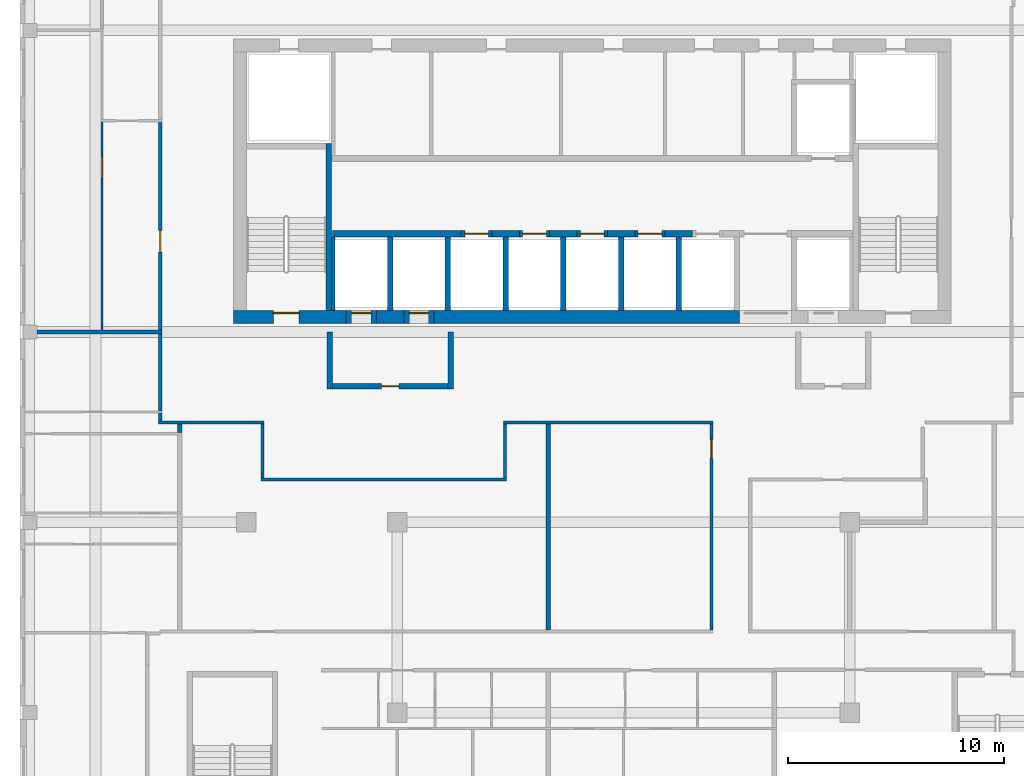
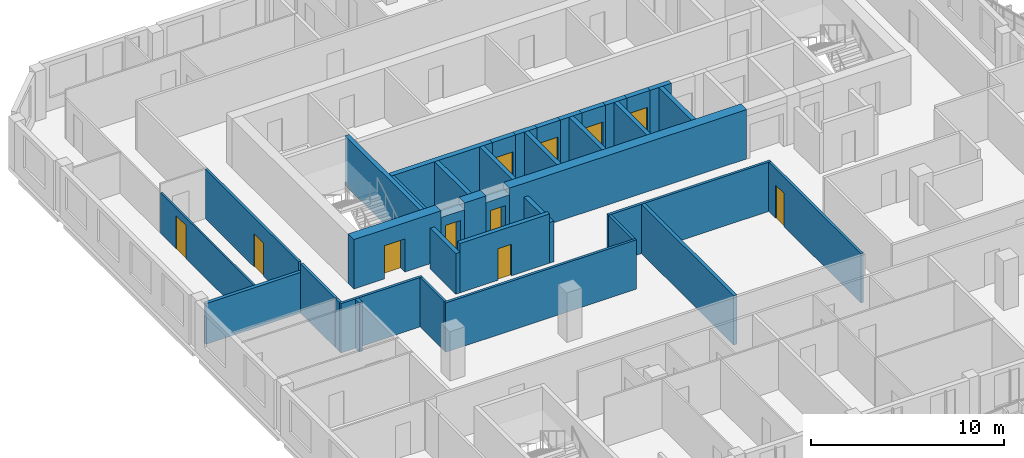
# One storey, part 4 of 16: 38 walls, 11 doors, 11 openings.
"""IFC4 building model written with IfcOpenShell, lengths in metres."""

import ifcopenshell
import ifcopenshell.guid

model = None  # the IFC model being written
_history = None  # IfcOwnerHistory: only IFC2X3 demands one
_inside = {}  # id of a spatial element -> (the spatial element, [elements in it])
_under = {}  # id of a project, library or spatial element -> (it, [spatial elements below it])
_declared = {}  # id of a project -> (the project, [libraries it declares])
_typed = {}  # id of a type object -> (the type object, [elements of that type])
_made_of = {}  # id of a material, layer set ... -> (it, [elements and type objects made of it])


def new_model(schema):
    """Start an empty IFC model of exactly this schema.

    Asked for "IFC4X3", IfcOpenShell would pick the latest addendum, in which some entities
    have other attributes; the version numbers below select the first issue.
    IFC2X3 requires an IfcOwnerHistory on every rooted entity: one is made here for all.
    """
    global model, _history
    if schema == "IFC4X3":
        model = ifcopenshell.file(schema_version=(4, 3, 0, 0))
    else:
        model = ifcopenshell.file(schema=schema)
    _inside.clear()
    _under.clear()
    _declared.clear()
    _typed.clear()
    _made_of.clear()
    _history = None
    if model.schema == "IFC2X3":
        org = make("IfcOrganization", Name="unknown")
        user = make(
            "IfcPersonAndOrganization",
            ThePerson=make("IfcPerson", FamilyName="unknown"),
            TheOrganization=org,
        )
        app = make(
            "IfcApplication",
            ApplicationDeveloper=org,
            Version="unknown",
            ApplicationFullName="unknown",
            ApplicationIdentifier="unknown",
        )
        _history = make(
            "IfcOwnerHistory",
            OwningUser=user,
            OwningApplication=app,
            ChangeAction="ADDED",
            CreationDate=0,
        )
    return model


def make(cls, **values):
    """One entity of the class cls with the attributes given. An attribute that is None is left unset."""
    return model.create_entity(
        cls, **{name: value for name, value in values.items() if value is not None}
    )


def rooted(cls, **values):
    """An entity with a GlobalId (a new one), such as an element, a storey or a relation."""
    return make(cls, GlobalId=ifcopenshell.guid.new(), OwnerHistory=_history, **values)


def si_unit(unit_type, name, prefix=None):
    """IfcSIUnit, for example si_unit("LENGTHUNIT", "METRE", prefix="MILLI")."""
    return make("IfcSIUnit", UnitType=unit_type, Prefix=prefix, Name=name)


def assignment(units):
    """IfcUnitAssignment: the units of a project."""
    return None if units is None else make("IfcUnitAssignment", Units=units)


def point(xyz):
    """IfcCartesianPoint."""
    return None if xyz is None else make("IfcCartesianPoint", Coordinates=xyz)


def direction(xyz):
    """IfcDirection."""
    return None if xyz is None else make("IfcDirection", DirectionRatios=xyz)


def frame(location, z_axis=None, x_axis=None):
    """IfcAxis2Placement3D, a coordinate frame: its origin and axes. An axis left out is left unset."""
    return make(
        "IfcAxis2Placement3D",
        Location=point(location),
        Axis=direction(z_axis),
        RefDirection=direction(x_axis),
    )


def frame_2d(location, x_axis=None):
    """IfcAxis2Placement2D, a coordinate frame in the plane: its origin and x axis."""
    return make(
        "IfcAxis2Placement2D", Location=point(location), RefDirection=direction(x_axis)
    )


def origin():
    """The frame at (0, 0, 0) with its axes left unset."""
    return frame((0.0, 0.0, 0.0))


def place(relative_to, where):
    """IfcLocalPlacement: puts the frame where relative to a parent placement (None: the world)."""
    return make(
        "IfcLocalPlacement", PlacementRelTo=relative_to, RelativePlacement=where
    )


def context(
    kind, dimensions, precision=None, world=None, true_north=None, identifier=None
):
    """IfcGeometricRepresentationContext, for example the 3D "Model" context."""
    return make(
        "IfcGeometricRepresentationContext",
        ContextIdentifier=identifier,
        ContextType=kind,
        CoordinateSpaceDimension=dimensions,
        Precision=precision,
        WorldCoordinateSystem=world,
        TrueNorth=true_north,
    )


def subcontext(parent, identifier, kind, view, scale=None):
    """IfcGeometricRepresentationSubContext, for example "Body" below "Model"."""
    return make(
        "IfcGeometricRepresentationSubContext",
        ContextIdentifier=identifier,
        ContextType=kind,
        ParentContext=parent,
        TargetScale=scale,
        TargetView=view,
    )


def project(units=None, contexts=None):
    """IfcProject with its units and contexts."""
    return rooted(
        "IfcProject",
        Name="project",
        RepresentationContexts=contexts,
        UnitsInContext=assignment(units),
    )


def spatial(cls, under=None, at=None, **own):
    """A site, building, storey or space (cls), placed at a placement, below another one or the project."""
    s = rooted(cls, ObjectPlacement=at, **own)
    if under is not None:
        _under.setdefault(under.id(), (under, []))[1].append(s)
    return s


def profile(cls, at=None, kind="AREA", **sizes):
    """A parametric profile (cls). Its sizes go by their IFC names, for example OverallWidth=200.0."""
    return make(cls, ProfileType=kind, Position=at, **sizes)


def rectangle(**sizes):
    """IfcRectangleProfileDef."""
    return profile("IfcRectangleProfileDef", **sizes)


def extrude(swept, where, along, depth):
    """IfcExtrudedAreaSolid: the profile swept, set in the frame where, extruded along a direction by depth."""
    return make(
        "IfcExtrudedAreaSolid",
        SweptArea=swept,
        Position=where,
        ExtrudedDirection=direction(along),
        Depth=depth,
    )


def shape(context_of_items, identifier, shape_type, items):
    """IfcShapeRepresentation: the items that make up one representation, for example the "Body"."""
    return make(
        "IfcShapeRepresentation",
        ContextOfItems=context_of_items,
        RepresentationIdentifier=identifier,
        RepresentationType=shape_type,
        Items=items,
    )


def source(mapping_origin, context_of_items, identifier, shape_type, items):
    """IfcRepresentationMap: a shape defined once, which mapped items show again and again."""
    return make(
        "IfcRepresentationMap",
        MappingOrigin=mapping_origin,
        MappedRepresentation=shape(context_of_items, identifier, shape_type, items),
    )


def transform(
    local_origin,
    x_axis=None,
    y_axis=None,
    z_axis=None,
    scale=None,
    scale2=None,
    scale3=None,
    uniform=True,
):
    """IfcCartesianTransformationOperator3D, or its non-uniform kind. x_axis, y_axis, z_axis: its Axis1, 2, 3."""
    if uniform:
        return make(
            "IfcCartesianTransformationOperator3D",
            Axis1=direction(x_axis),
            Axis2=direction(y_axis),
            LocalOrigin=point(local_origin),
            Scale=scale,
            Axis3=direction(z_axis),
        )
    return make(
        "IfcCartesianTransformationOperator3DnonUniform",
        Axis1=direction(x_axis),
        Axis2=direction(y_axis),
        LocalOrigin=point(local_origin),
        Scale=scale,
        Axis3=direction(z_axis),
        Scale2=scale2,
        Scale3=scale3,
    )


def mapped(mapping_source, mapping_target):
    """IfcMappedItem: shows the shape of a source again, moved by a transform."""
    return make(
        "IfcMappedItem", MappingSource=mapping_source, MappingTarget=mapping_target
    )


def material(Name=None, Category=None):
    """IfcMaterial."""
    return make("IfcMaterial", Name=Name, Category=Category)


def layer(
    of_material, thickness, ventilated=None, Name=None, Category=None, Priority=None
):
    """IfcMaterialLayer: one layer of a wall or slab, of a material (None: an air gap)."""
    return make(
        "IfcMaterialLayer",
        Material=of_material,
        LayerThickness=thickness,
        IsVentilated=ventilated,
        Name=Name,
        Category=Category,
        Priority=Priority,
    )


def layer_set(layers, Name=None):
    """IfcMaterialLayerSet."""
    return make("IfcMaterialLayerSet", MaterialLayers=layers, LayerSetName=Name)


def made_of(thing, what):
    """Note that an element or type object is made of a material, layer set ...; save() writes the relation."""
    if what is not None:
        _made_of.setdefault(what.id(), (what, []))[1].append(thing)
    return thing


def type_object(cls, material=None, **own):
    """A type object (cls), such as IfcWallType, which elements share."""
    return made_of(rooted(cls, **own), material)


def element(
    cls,
    number,
    at=None,
    inside=None,
    cuts=None,
    type_object=None,
    material=None,
    context=None,
    identifier="Body",
    shape_type=None,
    held_by="IfcProductDefinitionShape",
    body=None,
    shapes=None,
    **own,
):
    """One element of the class cls, such as IfcWall. Its Tag is "e" and its number.

    at: its placement. inside: the storey or other place that contains it. cuts: it is an
    opening in that element (IfcRelVoidsElement). A single representation is given by context,
    identifier, shape_type and body (its items); several are given by shapes. held_by: the class
    of the entity that holds the representations. save() writes the other relations.
    """
    e = rooted(cls, Tag="e%d" % number, ObjectPlacement=at, **own)
    if body is not None:
        shapes = [shape(context, identifier, shape_type, body)]
    if shapes is not None:
        e.Representation = make(held_by, Representations=shapes)
    if inside is not None:
        _inside.setdefault(inside.id(), (inside, []))[1].append(e)
    if cuts is not None:
        rooted(
            "IfcRelVoidsElement", RelatingBuildingElement=cuts, RelatedOpeningElement=e
        )
    if type_object is not None:
        _typed.setdefault(type_object.id(), (type_object, []))[1].append(e)
    return made_of(e, material)


def fill(opening, filler):
    """IfcRelFillsElement: the door or window that sits in an opening."""
    return rooted(
        "IfcRelFillsElement",
        RelatingOpeningElement=opening,
        RelatedBuildingElement=filler,
    )


def aggregate(whole, parts):
    """IfcRelAggregates: a whole, such as a stair, and the parts it consists of."""
    return rooted("IfcRelAggregates", RelatingObject=whole, RelatedObjects=parts)


def save(model, path):
    """Write the relations noted so far, then the file.

    IfcRelAggregates (storeys below a building ...), IfcRelContainedInSpatialStructure (elements
    in a storey), IfcRelDefinesByType, IfcRelAssociatesMaterial and IfcRelDeclares: one each for
    every whole, place, type object, material and project.
    """
    for whole, parts in _under.values():
        aggregate(whole, parts)
    for where, things in _inside.values():
        rooted(
            "IfcRelContainedInSpatialStructure",
            RelatedElements=things,
            RelatingStructure=where,
        )
    for kind, things in _typed.values():
        rooted("IfcRelDefinesByType", RelatedObjects=things, RelatingType=kind)
    for what, things in _made_of.values():
        rooted("IfcRelAssociatesMaterial", RelatedObjects=things, RelatingMaterial=what)
    for by, libraries in _declared.values():
        rooted("IfcRelDeclares", RelatingContext=by, RelatedDefinitions=libraries)
    model.write(path)


model = new_model("IFC4")

# Units and contexts
model_context = context("Model", 3, precision=1e-05, world=origin(), true_north=direction((0.0, 1.0)))
body_context = subcontext(model_context, "Body", "Model", "MODEL_VIEW")
ifc_project = project(units=[si_unit("LENGTHUNIT", "METRE"), si_unit("AREAUNIT", "SQUARE_METRE"), si_unit("VOLUMEUNIT", "CUBIC_METRE"), si_unit("PLANEANGLEUNIT", "RADIAN"), si_unit("MASSUNIT", "GRAM", prefix="KILO")], contexts=[model_context])

# Site, building, storey
site_placement = place(None, origin())
site = spatial("IfcSite", under=ifc_project, at=site_placement, CompositionType="ELEMENT")
building_placement = place(site_placement, origin())
building = spatial("IfcBuilding", under=site, at=building_placement, Name="Kilnfold Tower and Market Hall", CompositionType="ELEMENT")
storey_placement = place(building_placement, frame((0.0, 0.0, 284.0)))
storey = spatial("IfcBuildingStorey", under=building, at=storey_placement, Name="L70", CompositionType="ELEMENT", Elevation=284.0)

# Walls
ifc_material_1 = material(Name="Gypsum board on steel studs", Category="steel")
ifc_layer_1 = layer(ifc_material_1, 0.14990234375)
ifc_layer_set_1 = layer_set([ifc_layer_1], Name="Gypsum board on steel studs")
wall_type_1 = type_object("IfcWallType", Name="WALL CORRIDOR 150", PredefinedType="PARTITIONING", material=ifc_layer_set_1)
wall_1_placement = place(storey_placement, frame((-19.074951171875, 3.800048828125, 0.0), z_axis=(0.0, 0.0, 1.0), x_axis=(1.0, 0.0, 0.0)))
element("IfcWall", 1, at=wall_1_placement, inside=storey, type_object=wall_type_1, Name="Partition LY42.11", PredefinedType="PARTITIONING", context=body_context, shape_type="SweptSolid", body=[
    extrude(rectangle(XDim=4.889892578125, YDim=0.14990234375, at=frame_2d((2.44482421875, 0.0))), origin(), (0.0, 0.0, 1.0), 3.1201171875),
])
wall_2_placement = place(storey_placement, frame((-19.0, 3.875, 0.0), z_axis=(0.0, 0.0, 1.0), x_axis=(0.0, 1.0, 0.0)))
element("IfcWall", 2, at=wall_2_placement, inside=storey, type_object=wall_type_1, Name="Partition LY42.12", PredefinedType="PARTITIONING", context=body_context, shape_type="SweptSolid", body=[
    extrude(rectangle(XDim=0.376953125, YDim=0.14990234375, at=frame_2d((0.1884765625, 0.0))), origin(), (0.0, 0.0, 1.0), 3.1201171875),
])
wall_3_placement = place(storey_placement, frame((-19.0, 4.33203125, 0.0), z_axis=(0.0, 0.0, 1.0), x_axis=(0.0, 1.0, 0.0)))
element("IfcWall", 3, at=wall_3_placement, inside=storey, type_object=wall_type_1, Name="Partition LY42.13", PredefinedType="PARTITIONING", context=body_context, shape_type="SweptSolid", body=[
    extrude(rectangle(XDim=3.577880859375, YDim=0.14990234375, at=frame_2d((1.7890625, 0.0))), origin(), (0.0, 0.0, 1.0), 3.1201171875),
])

# Wall, opening, door
wall_4_placement = place(storey_placement, frame((-19.0, 8.090087890625, 0.0), z_axis=(0.0, 0.0, 1.0), x_axis=(0.0, 1.0, 0.0)))
wall_4 = element("IfcWall", 4, at=wall_4_placement, inside=storey, type_object=wall_type_1, Name="Partition LY42.20", PredefinedType="PARTITIONING", context=body_context, shape_type="SweptSolid", body=[
    extrude(rectangle(XDim=9.669921875, YDim=0.14990234375, at=frame_2d((4.8349609375, 0.0))), origin(), (0.0, 0.0, 1.0), 3.1201171875),
])
opening_1_placement = place(wall_4_placement, frame((3.62890625, 0.0, 0.0)))
opening_1 = element("IfcOpeningElement", 5, at=opening_1_placement, cuts=wall_4, Name="Opening D1", PredefinedType="OPENING", context=body_context, shape_type="SweptSolid", body=[
    extrude(rectangle(XDim=1.0, YDim=2.10009765625, at=frame_2d((0.5, 1.050048828125))), frame((0.0, 0.0849609375, 0.0), z_axis=(0.0, -1.0, 0.0), x_axis=(1.0, 0.0, 0.0)), (0.0, 0.0, 1.0), 0.169921875),
])
ifc_material_2 = material(Name="Timber veneer door leaf in steel frame", Category="steel")
door_type_1 = type_object("IfcDoorType", Name="DOOR ENTRY 1000 X2100", OperationType="NOTDEFINED", PredefinedType="DOOR", material=ifc_material_2)
door_1_placement = place(opening_1_placement, origin())
door_1 = element("IfcDoor", 6, at=door_1_placement, inside=storey, type_object=door_type_1, Name="Door D1", OperationType="SINGLE_SWING_LEFT", OverallHeight=2.10009765625, OverallWidth=1.0, PredefinedType="DOOR", context=body_context, shape_type="SweptSolid", body=[
    extrude(rectangle(XDim=1.0, YDim=2.10009765625, at=frame_2d((0.5, 1.050048828125))), frame((0.0, 0.02490234375, 0.0), z_axis=(0.0, -1.0, 0.0), x_axis=(1.0, 0.0, 0.0)), (0.0, 0.0, 1.0), 0.050048828125),
])
fill(opening_1, door_1)

# Walls
wall_5_placement = place(storey_placement, frame((-3.074951171875, 3.800048828125, 0.0), z_axis=(0.0, 0.0, 1.0), x_axis=(1.0, 0.0, 0.0)))
element("IfcWall", 7, at=wall_5_placement, inside=storey, type_object=wall_type_1, Name="Partition LY42.23", PredefinedType="PARTITIONING", context=body_context, shape_type="SweptSolid", body=[
    extrude(rectangle(XDim=9.72998046875, YDim=0.14990234375, at=frame_2d((4.864990234375, 0.0))), origin(), (0.0, 0.0, 1.0), 3.1201171875),
])
wall_6_placement = place(storey_placement, frame((-3.0, 1.22509765625, 0.0), z_axis=(0.0, 0.0, 1.0), x_axis=(0.0, 1.0, 0.0)))
element("IfcWall", 8, at=wall_6_placement, inside=storey, type_object=wall_type_1, Name="Partition LY42.24", PredefinedType="PARTITIONING", context=body_context, shape_type="SweptSolid", body=[
    extrude(rectangle(XDim=2.5, YDim=0.14990234375, at=frame_2d((1.25, 0.0))), origin(), (0.0, 0.0, 1.0), 3.1201171875),
])
wall_7_placement = place(storey_placement, frame((-14.3349609375, 1.14990234375, 0.0), z_axis=(0.0, 0.0, 1.0), x_axis=(1.0, 0.0, 0.0)))
element("IfcWall", 9, at=wall_7_placement, inside=storey, type_object=wall_type_1, Name="Partition LY42.25", PredefinedType="PARTITIONING", context=body_context, shape_type="SweptSolid", body=[
    extrude(rectangle(XDim=11.409912109375, YDim=0.14990234375, at=frame_2d((5.705078125, 0.0))), origin(), (0.0, 0.0, 1.0), 3.1201171875),
])
wall_8_placement = place(storey_placement, frame((-14.260009765625, 3.72509765625, 0.0), z_axis=(0.0, 0.0, 1.0), x_axis=(0.0, -1.0, 0.0)))
element("IfcWall", 10, at=wall_8_placement, inside=storey, type_object=wall_type_1, Name="Partition LY42.26", PredefinedType="PARTITIONING", context=body_context, shape_type="SweptSolid", body=[
    extrude(rectangle(XDim=2.5, YDim=0.14990234375, at=frame_2d((1.25, 0.0))), origin(), (0.0, 0.0, 1.0), 3.1201171875),
])

# Wall, opening, door
wall_9_placement = place(storey_placement, frame((6.580078125, 3.72509765625, 0.0), z_axis=(0.0, 0.0, 1.0), x_axis=(0.0, -1.0, 0.0)))
wall_9 = element("IfcWall", 11, at=wall_9_placement, inside=storey, type_object=wall_type_1, Name="Partition LY42.27", PredefinedType="PARTITIONING", context=body_context, shape_type="SweptSolid", body=[
    extrude(rectangle(XDim=9.550048828125, YDim=0.14990234375, at=frame_2d((4.77490234375, 0.0))), origin(), (0.0, 0.0, 1.0), 3.1201171875),
])
opening_2_placement = place(wall_9_placement, frame((0.702880859375, 0.0, 0.0)))
opening_2 = element("IfcOpeningElement", 12, at=opening_2_placement, cuts=wall_9, Name="Opening D2", PredefinedType="OPENING", context=body_context, shape_type="SweptSolid", body=[
    extrude(rectangle(XDim=0.89990234375, YDim=2.10009765625, at=frame_2d((0.449951171875, 1.050048828125))), frame((0.0, 0.0849609375, 0.0), z_axis=(0.0, -1.0, 0.0), x_axis=(1.0, 0.0, 0.0)), (0.0, 0.0, 1.0), 0.169921875),
])
ifc_material_3 = material(Name="Timber veneer door leaf in steel frame", Category="steel")
door_type_2 = type_object("IfcDoorType", Name="DOOR ROOM 900 X2100", OperationType="NOTDEFINED", PredefinedType="DOOR", material=ifc_material_3)
door_2_placement = place(opening_2_placement, origin())
door_2 = element("IfcDoor", 13, at=door_2_placement, inside=storey, type_object=door_type_2, Name="Door D2", OperationType="SINGLE_SWING_RIGHT", OverallHeight=2.10009765625, OverallWidth=0.89990234375, PredefinedType="DOOR", context=body_context, shape_type="SweptSolid", body=[
    extrude(rectangle(XDim=0.89990234375, YDim=2.10009765625, at=frame_2d((0.449951171875, 1.050048828125))), frame((0.0, 0.02490234375, 0.0), z_axis=(0.0, -1.0, 0.0), x_axis=(1.0, 0.0, 0.0)), (0.0, 0.0, 1.0), 0.050048828125),
])
fill(opening_2, door_2)

ifc_material_4 = material(Name="Gypsum board on steel studs", Category="steel")
ifc_layer_2 = layer(ifc_material_4, 0.10009765625)
ifc_layer_set_2 = layer_set([ifc_layer_2], Name="Gypsum board on steel studs")
wall_type_2 = type_object("IfcWallType", Name="WALL PARTITION 100", PredefinedType="PARTITIONING", material=ifc_layer_set_2)
wall_10_placement = place(storey_placement, frame((-21.699951171875, 8.10009765625, 0.0), z_axis=(0.0, 0.0, 1.0), x_axis=(0.0, 1.0, 0.0)))
wall_10 = element("IfcWall", 14, at=wall_10_placement, inside=storey, type_object=wall_type_2, Name="Partition LY42.72", PredefinedType="PARTITIONING", context=body_context, shape_type="SweptSolid", body=[
    extrude(rectangle(XDim=9.64990234375, YDim=0.10009765625, at=frame_2d((4.824951171875, 0.0))), origin(), (0.0, 0.0, 1.0), 2.570068359375),
])
opening_3_placement = place(wall_10_placement, frame((7.041015625, 0.0, 0.0)))
opening_3 = element("IfcOpeningElement", 15, at=opening_3_placement, cuts=wall_10, Name="Opening D1", PredefinedType="OPENING", context=body_context, shape_type="SweptSolid", body=[
    extrude(rectangle(XDim=1.0, YDim=2.10009765625, at=frame_2d((0.5, 1.050048828125))), frame((0.0, 0.06005859375, 0.0), z_axis=(0.0, -1.0, 0.0), x_axis=(1.0, 0.0, 0.0)), (0.0, 0.0, 1.0), 0.1201171875),
])
door_3_placement = place(opening_3_placement, origin())
door_3 = element("IfcDoor", 16, at=door_3_placement, inside=storey, type_object=door_type_1, Name="Door D1", OperationType="SINGLE_SWING_LEFT", OverallHeight=2.10009765625, OverallWidth=1.0, PredefinedType="DOOR", context=body_context, shape_type="SweptSolid", body=[
    extrude(rectangle(XDim=1.0, YDim=2.10009765625, at=frame_2d((0.5, 1.050048828125))), frame((0.0, 0.02490234375, 0.0), z_axis=(0.0, -1.0, 0.0), x_axis=(1.0, 0.0, 0.0)), (0.0, 0.0, 1.0), 0.050048828125),
])
fill(opening_3, door_3)

# Walls
ifc_material_5 = material(Name="Gypsum board on steel studs", Category="steel")
ifc_layer_3 = layer(ifc_material_5, 0.199951171875)
ifc_layer_set_3 = layer_set([ifc_layer_3], Name="Gypsum board on steel studs")
wall_type_3 = type_object("IfcWallType", Name="WALL PARTY 200", PredefinedType="PARTITIONING", material=ifc_layer_set_3)
wall_11_placement = place(storey_placement, frame((-18.10009765625, 3.324951171875, 0.0), z_axis=(0.0, 0.0, 1.0), x_axis=(0.0, 1.0, 0.0)))
element("IfcWall", 17, at=wall_11_placement, inside=storey, type_object=wall_type_3, Name="Partition LY42.44", PredefinedType="PARTITIONING", context=body_context, shape_type="SweptSolid", body=[
    extrude(rectangle(XDim=0.39794921875, YDim=0.199951171875, at=frame_2d((0.198974609375, 0.0))), origin(), (0.0, 0.0, 1.0), 3.1201171875),
])
wall_12_placement = place(storey_placement, frame((-24.72509765625, 8.0, 0.0), z_axis=(0.0, 0.0, 1.0), x_axis=(1.0, 0.0, 0.0)))
element("IfcWall", 18, at=wall_12_placement, inside=storey, type_object=wall_type_3, Name="Partition LY42.45", PredefinedType="PARTITIONING", context=body_context, shape_type="SweptSolid", body=[
    extrude(rectangle(XDim=5.798095703125, YDim=0.199951171875, at=frame_2d((2.89892578125, 0.0))), origin(), (0.0, 0.0, 1.0), 2.570068359375),
])
wall_13_placement = place(storey_placement, frame((-1.0, -5.822998046875, 0.0), z_axis=(0.0, 0.0, 1.0), x_axis=(0.0, 1.0, 0.0)))
element("IfcWall", 19, at=wall_13_placement, inside=storey, type_object=wall_type_3, Name="Partition LY42.79", PredefinedType="PARTITIONING", context=body_context, shape_type="SweptSolid", body=[
    extrude(rectangle(XDim=9.5458984375, YDim=0.199951171875, at=frame_2d((4.77294921875, 0.0))), origin(), (0.0, 0.0, 1.0), 3.1201171875),
])
ifc_material_6 = material(Name="Concrete C50", Category="concrete")
ifc_layer_4 = layer(ifc_material_6, 0.25)
ifc_layer_set_4 = layer_set([ifc_layer_4], Name="Concrete C50")
wall_type_4 = type_object("IfcWallType", Name="CORE WALL 250 C50", PredefinedType="SHEAR", material=ifc_layer_set_4)
shared_shape_1 = source(origin(), body_context, "Body", "SweptSolid", [
    extrude(rectangle(XDim=7.75, YDim=0.25, at=frame_2d((3.875, 0.0))), origin(), (0.0, 0.0, 1.0), 3.1201171875),
])
wall_14_placement = place(storey_placement, frame((-11.175048828125, 9.0, 0.0), z_axis=(0.0, 0.0, 1.0), x_axis=(0.0, 1.0, 0.0)))
element("IfcWall", 20, at=wall_14_placement, inside=storey, type_object=wall_type_4, Name="Stair enclosure ST1", PredefinedType="SHEAR", context=body_context, shape_type="MappedRepresentation", body=[
    mapped(shared_shape_1, transform((0.0, 0.0, 0.0))),
])
ifc_material_7 = material(Name="Concrete C50", Category="concrete")
ifc_layer_5 = layer(ifc_material_7, 0.300048828125)
ifc_layer_set_5 = layer_set([ifc_layer_5], Name="Concrete C50")
wall_type_5 = type_object("IfcWallType", Name="CORE WALL 300 C50", PredefinedType="SHEAR", material=ifc_layer_set_5)
shared_shape_2 = source(origin(), body_context, "Body", "SweptSolid", [
    extrude(rectangle(XDim=6.0, YDim=0.300048828125, at=frame_2d((3.0, 0.0))), origin(), (0.0, 0.0, 1.0), 3.1201171875),
])
wall_15_placement = place(storey_placement, frame((-11.010009765625, 12.550048828125, 0.0), z_axis=(0.0, 0.0, 1.0), x_axis=(1.0, 0.0, 0.0)))
element("IfcWall", 21, at=wall_15_placement, inside=storey, type_object=wall_type_5, Name="Core spine wall", PredefinedType="SHEAR", context=body_context, shape_type="MappedRepresentation", body=[
    mapped(shared_shape_2, transform((0.0, 0.0, 0.0))),
])
shared_shape_3 = source(origin(), body_context, "Body", "SweptSolid", [
    extrude(rectangle(XDim=1.280029296875, YDim=0.300048828125, at=frame_2d((0.64013671875, 0.0))), origin(), (0.0, 0.0, 1.0), 3.1201171875),
])
for number, where, z_axis, x_axis, name in (
    (22, (-3.610107421875, 12.550048828125, 0.0), (0.0, 0.0, 1.0), (1.0, 0.0, 0.0), "Core spine wall"),
    (23, (-0.929931640625, 12.550048828125, 0.0), (0.0, 0.0, 1.0), (1.0, 0.0, 0.0), "Core spine wall"),
    (24, (1.75, 12.550048828125, 0.0), (0.0, 0.0, 1.0), (1.0, 0.0, 0.0), "Core spine wall"),
    (25, (4.429931640625, 12.550048828125, 0.0), (0.0, 0.0, 1.0), (1.0, 0.0, 0.0), "Core spine wall"),
):
    element("IfcWall", number, at=place(storey_placement, frame(where, z_axis=z_axis, x_axis=x_axis)), inside=storey, type_object=wall_type_5, Name=name, PredefinedType="SHEAR", context=body_context, shape_type="MappedRepresentation", body=[
        mapped(shared_shape_3, transform((0.0, 0.0, 0.0))),
    ])

# Wall, opening, door
ifc_material_8 = material(Name="Concrete C50", Category="concrete")
ifc_layer_6 = layer(ifc_material_8, 0.60009765625)
ifc_layer_set_6 = layer_set([ifc_layer_6], Name="Concrete C50")
wall_type_6 = type_object("IfcWallType", Name="CORE WALL 600 C50", PredefinedType="SHEAR", material=ifc_layer_set_6)
shared_shape_4 = source(origin(), body_context, "Body", "SweptSolid", [
    extrude(rectangle(XDim=5.22998046875, YDim=0.60009765625, at=frame_2d((2.614990234375, 0.0))), origin(), (0.0, 0.0, 1.0), 3.1201171875),
])
wall_16_placement = place(storey_placement, frame((-15.60009765625, 8.699951171875, 0.0), z_axis=(0.0, 0.0, 1.0), x_axis=(1.0, 0.0, 0.0)))
wall_16 = element("IfcWall", 26, at=wall_16_placement, inside=storey, type_object=wall_type_6, Name="Core outer wall south", PredefinedType="SHEAR", context=body_context, shape_type="MappedRepresentation", body=[
    mapped(shared_shape_4, transform((0.0, 0.0, 0.0))),
])
opening_4_placement = place(wall_16_placement, frame((1.85009765625, 0.0, 0.0)))
opening_4 = element("IfcOpeningElement", 27, at=opening_4_placement, cuts=wall_16, Name="Opening SD1", PredefinedType="OPENING", context=body_context, shape_type="SweptSolid", body=[
    extrude(rectangle(XDim=1.199951171875, YDim=2.10009765625, at=frame_2d((0.60009765625, 1.050048828125))), frame((0.0, 0.31005859375, 0.0), z_axis=(0.0, -1.0, 0.0), x_axis=(1.0, 0.0, 0.0)), (0.0, 0.0, 1.0), 0.6201171875),
])
ifc_material_9 = material(Name="Steel door set with fire-resisting leaf", Category="steel")
door_type_3 = type_object("IfcDoorType", Name="STAIR FLOOR DOOR 1200X2100", OperationType="NOTDEFINED", PredefinedType="DOOR", material=ifc_material_9)
door_4_placement = place(opening_4_placement, origin())
door_4 = element("IfcDoor", 28, at=door_4_placement, inside=storey, type_object=door_type_3, Name="Exit stair ST1 door", OperationType="DOUBLE_DOOR_SINGLE_SWING", OverallHeight=2.10009765625, OverallWidth=1.199951171875, PredefinedType="DOOR", context=body_context, shape_type="SweptSolid", body=[
    extrude(rectangle(XDim=1.199951171875, YDim=2.10009765625, at=frame_2d((0.60009765625, 1.050048828125))), frame((0.0, 0.205078125, 0.0), z_axis=(0.0, -1.0, 0.0), x_axis=(1.0, 0.0, 0.0)), (0.0, 0.0, 1.0), 0.050048828125),
])
fill(opening_4, door_4)

# Walls
shared_shape_5 = source(origin(), body_context, "Body", "SweptSolid", [
    extrude(rectangle(XDim=1.280029296875, YDim=0.60009765625, at=frame_2d((0.64013671875, 0.0))), origin(), (0.0, 0.0, 1.0), 3.1201171875),
])
wall_17_placement = place(storey_placement, frame((-8.969970703125, 8.699951171875, 0.0), z_axis=(0.0, 0.0, 1.0), x_axis=(1.0, 0.0, 0.0)))
element("IfcWall", 29, at=wall_17_placement, inside=storey, type_object=wall_type_6, Name="Core outer wall south", PredefinedType="SHEAR", context=body_context, shape_type="MappedRepresentation", body=[
    mapped(shared_shape_5, transform((0.0, 0.0, 0.0))),
])
shared_shape_6 = source(origin(), body_context, "Body", "SweptSolid", [
    extrude(rectangle(XDim=14.179931640625, YDim=0.60009765625, at=frame_2d((7.08984375, 0.0))), origin(), (0.0, 0.0, 1.0), 3.1201171875),
])
wall_18_placement = place(storey_placement, frame((-6.2900390625, 8.699951171875, 0.0), z_axis=(0.0, 0.0, 1.0), x_axis=(1.0, 0.0, 0.0)))
element("IfcWall", 30, at=wall_18_placement, inside=storey, type_object=wall_type_6, Name="Core outer wall south", PredefinedType="SHEAR", context=body_context, shape_type="MappedRepresentation", body=[
    mapped(shared_shape_6, transform((0.0, 0.0, 0.0))),
])

# Wall, opening, door
ifc_material_10 = material(Name="Gypsum shaft wall system")
ifc_layer_7 = layer(ifc_material_10, 0.300048828125)
ifc_layer_set_7 = layer_set([ifc_layer_7], Name="Gypsum shaft wall system")
wall_type_7 = type_object("IfcWallType", Name="SHAFT WALL 300", PredefinedType="PARTITIONING", material=ifc_layer_set_7)
shared_shape_7 = source(origin(), body_context, "Body", "SweptSolid", [
    extrude(rectangle(XDim=1.39990234375, YDim=0.300048828125, at=frame_2d((0.699951171875, 0.0))), origin(), (0.0, 0.0, 1.0), 3.1201171875),
])
wall_19_placement = place(storey_placement, frame((-5.010009765625, 12.550048828125, 0.0), z_axis=(0.0, 0.0, 1.0), x_axis=(1.0, 0.0, 0.0)))
wall_19 = element("IfcWall", 31, at=wall_19_placement, inside=storey, type_object=wall_type_7, Name="Lift shaft front wall", PredefinedType="PARTITIONING", context=body_context, shape_type="MappedRepresentation", body=[
    mapped(shared_shape_7, transform((0.0, 0.0, 0.0))),
])
opening_5_placement = place(wall_19_placement, frame((0.14990234375, 0.0, 0.0)))
opening_5 = element("IfcOpeningElement", 32, at=opening_5_placement, cuts=wall_19, Name="Opening LD2", PredefinedType="OPENING", context=body_context, shape_type="SweptSolid", body=[
    extrude(rectangle(XDim=1.10009765625, YDim=2.10009765625, at=frame_2d((0.550048828125, 1.050048828125))), frame((0.0, 0.16015625, 0.0), z_axis=(0.0, -1.0, 0.0), x_axis=(1.0, 0.0, 0.0)), (0.0, 0.0, 1.0), 0.320068359375),
])
ifc_material_11 = material(Name="Steel door set with fire-resisting leaf", Category="steel")
door_type_4 = type_object("IfcDoorType", Name="LANDING DOOR 1100X2100", OperationType="NOTDEFINED", PredefinedType="DOOR", material=ifc_material_11)
door_5_placement = place(opening_5_placement, origin())
door_5 = element("IfcDoor", 33, at=door_5_placement, inside=storey, type_object=door_type_4, Name="Landing door HR1", OperationType="DOUBLE_DOOR_SLIDING", OverallHeight=2.10009765625, OverallWidth=1.10009765625, PredefinedType="DOOR", context=body_context, shape_type="SweptSolid", body=[
    extrude(rectangle(XDim=1.10009765625, YDim=2.10009765625, at=frame_2d((0.550048828125, 1.050048828125))), frame((0.0, 0.02490234375, 0.0), z_axis=(0.0, -1.0, 0.0), x_axis=(1.0, 0.0, 0.0)), (0.0, 0.0, 1.0), 0.050048828125),
])
fill(opening_5, door_5)

wall_20_placement = place(storey_placement, frame((0.35009765625, 12.550048828125, 0.0), z_axis=(0.0, 0.0, 1.0), x_axis=(1.0, 0.0, 0.0)))
wall_20 = element("IfcWall", 34, at=wall_20_placement, inside=storey, type_object=wall_type_7, Name="Lift shaft front wall", PredefinedType="PARTITIONING", context=body_context, shape_type="MappedRepresentation", body=[
    mapped(shared_shape_7, transform((0.0, 0.0, 0.0))),
])
opening_6_placement = place(wall_20_placement, frame((0.14990234375, 0.0, 0.0)))
opening_6 = element("IfcOpeningElement", 35, at=opening_6_placement, cuts=wall_20, Name="Opening LD2", PredefinedType="OPENING", context=body_context, shape_type="SweptSolid", body=[
    extrude(rectangle(XDim=1.10009765625, YDim=2.10009765625, at=frame_2d((0.550048828125, 1.050048828125))), frame((0.0, 0.16015625, 0.0), z_axis=(0.0, -1.0, 0.0), x_axis=(1.0, 0.0, 0.0)), (0.0, 0.0, 1.0), 0.320068359375),
])
door_6_placement = place(opening_6_placement, origin())
door_6 = element("IfcDoor", 36, at=door_6_placement, inside=storey, type_object=door_type_4, Name="Landing door HR3", OperationType="DOUBLE_DOOR_SLIDING", OverallHeight=2.10009765625, OverallWidth=1.10009765625, PredefinedType="DOOR", context=body_context, shape_type="SweptSolid", body=[
    extrude(rectangle(XDim=1.10009765625, YDim=2.10009765625, at=frame_2d((0.550048828125, 1.050048828125))), frame((0.0, 0.02490234375, 0.0), z_axis=(0.0, -1.0, 0.0), x_axis=(1.0, 0.0, 0.0)), (0.0, 0.0, 1.0), 0.050048828125),
])
fill(opening_6, door_6)

wall_21_placement = place(storey_placement, frame((3.030029296875, 12.550048828125, 0.0), z_axis=(0.0, 0.0, 1.0), x_axis=(1.0, 0.0, 0.0)))
wall_21 = element("IfcWall", 37, at=wall_21_placement, inside=storey, type_object=wall_type_7, Name="Lift shaft front wall", PredefinedType="PARTITIONING", context=body_context, shape_type="MappedRepresentation", body=[
    mapped(shared_shape_7, transform((0.0, 0.0, 0.0))),
])
opening_7_placement = place(wall_21_placement, frame((0.14990234375, 0.0, 0.0)))
opening_7 = element("IfcOpeningElement", 38, at=opening_7_placement, cuts=wall_21, Name="Opening LD2", PredefinedType="OPENING", context=body_context, shape_type="SweptSolid", body=[
    extrude(rectangle(XDim=1.10009765625, YDim=2.10009765625, at=frame_2d((0.550048828125, 1.050048828125))), frame((0.0, 0.16015625, 0.0), z_axis=(0.0, -1.0, 0.0), x_axis=(1.0, 0.0, 0.0)), (0.0, 0.0, 1.0), 0.320068359375),
])
door_7_placement = place(opening_7_placement, origin())
door_7 = element("IfcDoor", 39, at=door_7_placement, inside=storey, type_object=door_type_4, Name="Landing door HR4", OperationType="DOUBLE_DOOR_SLIDING", OverallHeight=2.10009765625, OverallWidth=1.10009765625, PredefinedType="DOOR", context=body_context, shape_type="SweptSolid", body=[
    extrude(rectangle(XDim=1.10009765625, YDim=2.10009765625, at=frame_2d((0.550048828125, 1.050048828125))), frame((0.0, 0.02490234375, 0.0), z_axis=(0.0, -1.0, 0.0), x_axis=(1.0, 0.0, 0.0)), (0.0, 0.0, 1.0), 0.050048828125),
])
fill(opening_7, door_7)

shared_shape_8 = source(origin(), body_context, "Body", "SweptSolid", [
    extrude(rectangle(XDim=1.400146484375, YDim=0.300048828125, at=frame_2d((0.7001953125, 0.0))), origin(), (0.0, 0.0, 1.0), 3.1201171875),
])
wall_22_placement = place(storey_placement, frame((-2.330078125, 12.550048828125, 0.0), z_axis=(0.0, 0.0, 1.0), x_axis=(1.0, 0.0, 0.0)))
wall_22 = element("IfcWall", 40, at=wall_22_placement, inside=storey, type_object=wall_type_7, Name="Lift shaft front wall", PredefinedType="PARTITIONING", context=body_context, shape_type="MappedRepresentation", body=[
    mapped(shared_shape_8, transform((0.0, 0.0, 0.0))),
])
opening_8_placement = place(wall_22_placement, frame((0.14990234375, 0.0, 0.0)))
opening_8 = element("IfcOpeningElement", 41, at=opening_8_placement, cuts=wall_22, Name="Opening LD2", PredefinedType="OPENING", context=body_context, shape_type="SweptSolid", body=[
    extrude(rectangle(XDim=1.10009765625, YDim=2.10009765625, at=frame_2d((0.550048828125, 1.050048828125))), frame((0.0, 0.16015625, 0.0), z_axis=(0.0, -1.0, 0.0), x_axis=(1.0, 0.0, 0.0)), (0.0, 0.0, 1.0), 0.320068359375),
])
door_8_placement = place(opening_8_placement, origin())
door_8 = element("IfcDoor", 42, at=door_8_placement, inside=storey, type_object=door_type_4, Name="Landing door HR2", OperationType="DOUBLE_DOOR_SLIDING", OverallHeight=2.10009765625, OverallWidth=1.10009765625, PredefinedType="DOOR", context=body_context, shape_type="SweptSolid", body=[
    extrude(rectangle(XDim=1.10009765625, YDim=2.10009765625, at=frame_2d((0.550048828125, 1.050048828125))), frame((0.0, 0.02490234375, 0.0), z_axis=(0.0, -1.0, 0.0), x_axis=(1.0, 0.0, 0.0)), (0.0, 0.0, 1.0), 0.050048828125),
])
fill(opening_8, door_8)

ifc_material_12 = material(Name="Gypsum shaft wall system")
ifc_layer_8 = layer(ifc_material_12, 0.25)
ifc_layer_set_8 = layer_set([ifc_layer_8], Name="Gypsum shaft wall system")
wall_type_8 = type_object("IfcWallType", Name="LOBBY WALL 250", PredefinedType="PARTITIONING", material=ifc_layer_set_8)
shared_shape_9 = source(origin(), body_context, "Body", "SweptSolid", [
    extrude(rectangle(XDim=5.360107421875, YDim=0.25, at=frame_2d((2.68017578125, 0.0))), origin(), (0.0, 0.0, 1.0), 3.1201171875),
])
wall_23_placement = place(storey_placement, frame((-11.010009765625, 5.47509765625, 0.0), z_axis=(0.0, 0.0, 1.0), x_axis=(1.0, 0.0, 0.0)))
wall_23 = element("IfcWall", 43, at=wall_23_placement, inside=storey, type_object=wall_type_8, Name="Firefighting lobby wall", PredefinedType="PARTITIONING", context=body_context, shape_type="MappedRepresentation", body=[
    mapped(shared_shape_9, transform((0.0, 0.0, 0.0))),
])
opening_9_placement = place(wall_23_placement, frame((2.280029296875, 0.0, 0.0)))
opening_9 = element("IfcOpeningElement", 44, at=opening_9_placement, cuts=wall_23, Name="Opening VD1", PredefinedType="OPENING", context=body_context, shape_type="SweptSolid", body=[
    extrude(rectangle(XDim=0.800048828125, YDim=2.0, at=frame_2d((0.39990234375, 1.0))), frame((0.0, 0.135009765625, 0.0), z_axis=(0.0, -1.0, 0.0), x_axis=(1.0, 0.0, 0.0)), (0.0, 0.0, 1.0), 0.27001953125),
])
ifc_material_13 = material(Name="Steel door set with fire-resisting leaf", Category="steel")
door_type_5 = type_object("IfcDoorType", Name="FIREFIGHTING LOBBY DOOR 800X2000", OperationType="NOTDEFINED", PredefinedType="DOOR", material=ifc_material_13)
door_9_placement = place(opening_9_placement, origin())
door_9 = element("IfcDoor", 45, at=door_9_placement, inside=storey, type_object=door_type_5, Name="Firefighting lobby door", OperationType="SINGLE_SWING_LEFT", OverallHeight=2.0, OverallWidth=0.800048828125, PredefinedType="DOOR", context=body_context, shape_type="SweptSolid", body=[
    extrude(rectangle(XDim=0.800048828125, YDim=2.0, at=frame_2d((0.39990234375, 1.0))), frame((0.0, 0.02490234375, 0.0), z_axis=(0.0, -1.0, 0.0), x_axis=(1.0, 0.0, 0.0)), (0.0, 0.0, 1.0), 0.050048828125),
])
fill(opening_9, door_9)

# Walls
ifc_material_14 = material(Name="Gypsum shaft wall system")
ifc_layer_9 = layer(ifc_material_14, 0.25)
ifc_layer_set_9 = layer_set([ifc_layer_9], Name="Gypsum shaft wall system")
wall_type_9 = type_object("IfcWallType", Name="SHAFT WALL 250", PredefinedType="PARTITIONING", material=ifc_layer_set_9)
shared_shape_10 = source(origin(), body_context, "Body", "SweptSolid", [
    extrude(rectangle(XDim=3.39990234375, YDim=0.25, at=frame_2d((1.699951171875, 0.0))), origin(), (0.0, 0.0, 1.0), 3.1201171875),
])
for number, where, z_axis, x_axis, name in (
    (46, (2.389892578125, 9.0, 0.0), (0.0, 0.0, 1.0), (0.0, 1.0, 0.0), "Lift shaft wall"),
    (47, (5.070068359375, 9.0, 0.0), (0.0, 0.0, 1.0), (0.0, 1.0, 0.0), "Lift shaft wall"),
    (48, (-0.2900390625, 9.0, 0.0), (0.0, 0.0, 1.0), (0.0, 1.0, 0.0), "Lift shaft wall"),
    (49, (-2.969970703125, 9.0, 0.0), (0.0, 0.0, 1.0), (0.0, 1.0, 0.0), "Lift shaft wall"),
    (50, (-5.64990234375, 9.0, 0.0), (0.0, 0.0, 1.0), (0.0, 1.0, 0.0), "Lift shaft wall"),
    (51, (-8.330078125, 9.0, 0.0), (0.0, 0.0, 1.0), (0.0, 1.0, 0.0), "Lift shaft wall"),
):
    element("IfcWall", number, at=place(storey_placement, frame(where, z_axis=z_axis, x_axis=x_axis)), inside=storey, type_object=wall_type_9, Name=name, PredefinedType="PARTITIONING", context=body_context, shape_type="MappedRepresentation", body=[
        mapped(shared_shape_10, transform((0.0, 0.0, 0.0))),
    ])
ifc_material_15 = material(Name="Gypsum shaft wall system")
ifc_layer_10 = layer(ifc_material_15, 0.1650390625)
ifc_layer_set_10 = layer_set([ifc_layer_10], Name="Gypsum shaft wall system")
wall_type_10 = type_object("IfcWallType", Name="SHAFT WALL 165", PredefinedType="PARTITIONING", material=ifc_layer_set_10)
shared_shape_11 = source(origin(), body_context, "Body", "SweptSolid", [
    extrude(rectangle(XDim=3.39990234375, YDim=0.1650390625, at=frame_2d((1.699951171875, 0.0))), origin(), (0.0, 0.0, 1.0), 3.1201171875),
])
wall_24_placement = place(storey_placement, frame((-10.967529296875, 9.0, 0.0), z_axis=(0.0, 0.0, 1.0), x_axis=(0.0, 1.0, 0.0)))
element("IfcWall", 52, at=wall_24_placement, inside=storey, type_object=wall_type_10, Name="Lift shaft wall", PredefinedType="PARTITIONING", context=body_context, shape_type="MappedRepresentation", body=[
    mapped(shared_shape_11, transform((0.0, 0.0, 0.0))),
])
shared_shape_12 = source(origin(), body_context, "Body", "SweptSolid", [
    extrude(rectangle(XDim=2.64990234375, YDim=0.25, at=frame_2d((1.324951171875, 0.0))), origin(), (0.0, 0.0, 1.0), 2.570068359375),
])
for number, where, z_axis, x_axis, name in (
    (53, (-11.135009765625, 5.35009765625, 0.0), (0.0, 0.0, 1.0), (0.0, 1.0, 0.0), "Firefighting lobby wall"),
    (54, (-5.52490234375, 5.35009765625, 0.0), (0.0, 0.0, 1.0), (0.0, 1.0, 0.0), "Firefighting lobby wall"),
):
    element("IfcWall", number, at=place(storey_placement, frame(where, z_axis=z_axis, x_axis=x_axis)), inside=storey, type_object=wall_type_8, Name=name, PredefinedType="PARTITIONING", context=body_context, shape_type="MappedRepresentation", body=[
        mapped(shared_shape_12, transform((0.0, 0.0, 0.0))),
    ])

# Wall, opening, door
ifc_material_16 = material(Name="Gypsum shaft wall system")
ifc_layer_11 = layer(ifc_material_16, 0.60009765625)
ifc_layer_set_11 = layer_set([ifc_layer_11], Name="Gypsum shaft wall system")
wall_type_11 = type_object("IfcWallType", Name="LOBBY WALL 600", PredefinedType="PARTITIONING", material=ifc_layer_set_11)
shared_shape_13 = source(origin(), body_context, "Body", "SweptSolid", [
    extrude(rectangle(XDim=1.400146484375, YDim=0.60009765625, at=frame_2d((0.7001953125, 0.0))), origin(), (0.0, 0.0, 1.0), 2.699951171875),
])
wall_25_placement = place(storey_placement, frame((-10.3701171875, 8.699951171875, 0.0), z_axis=(0.0, 0.0, 1.0), x_axis=(1.0, 0.0, 0.0)))
wall_25 = element("IfcWall", 55, at=wall_25_placement, inside=storey, type_object=wall_type_11, Name="Core wall infill", PredefinedType="PARTITIONING", context=body_context, shape_type="MappedRepresentation", body=[
    mapped(shared_shape_13, transform((0.0, 0.0, 0.0))),
])
opening_10_placement = place(wall_25_placement, frame((0.25, 0.0, 0.0)))
opening_10 = element("IfcOpeningElement", 56, at=opening_10_placement, cuts=wall_25, Name="Opening LD1", PredefinedType="OPENING", context=body_context, shape_type="SweptSolid", body=[
    extrude(rectangle(XDim=0.89990234375, YDim=2.10009765625, at=frame_2d((0.449951171875, 1.050048828125))), frame((0.0, 0.31005859375, 0.0), z_axis=(0.0, -1.0, 0.0), x_axis=(1.0, 0.0, 0.0)), (0.0, 0.0, 1.0), 0.6201171875),
])
ifc_material_17 = material(Name="Steel door set with fire-resisting leaf", Category="steel")
door_type_6 = type_object("IfcDoorType", Name="FIREFIGHTING LANDING DOOR 900X2100", OperationType="NOTDEFINED", PredefinedType="DOOR", material=ifc_material_17)
door_10_placement = place(opening_10_placement, origin())
door_10 = element("IfcDoor", 57, at=door_10_placement, inside=storey, type_object=door_type_6, Name="Landing door FF1", OperationType="SLIDING_TO_LEFT", OverallHeight=2.10009765625, OverallWidth=0.89990234375, PredefinedType="DOOR", context=body_context, shape_type="SweptSolid", body=[
    extrude(rectangle(XDim=0.89990234375, YDim=2.10009765625, at=frame_2d((0.449951171875, 1.050048828125))), frame((0.0, 0.205078125, 0.0), z_axis=(0.0, -1.0, 0.0), x_axis=(1.0, 0.0, 0.0)), (0.0, 0.0, 1.0), 0.050048828125),
])
fill(opening_10, door_10)

shared_shape_14 = source(origin(), body_context, "Body", "SweptSolid", [
    extrude(rectangle(XDim=1.39990234375, YDim=0.60009765625, at=frame_2d((0.699951171875, 0.0))), origin(), (0.0, 0.0, 1.0), 2.699951171875),
])
wall_26_placement = place(storey_placement, frame((-7.68994140625, 8.699951171875, 0.0), z_axis=(0.0, 0.0, 1.0), x_axis=(1.0, 0.0, 0.0)))
wall_26 = element("IfcWall", 58, at=wall_26_placement, inside=storey, type_object=wall_type_11, Name="Core wall infill", PredefinedType="PARTITIONING", context=body_context, shape_type="MappedRepresentation", body=[
    mapped(shared_shape_14, transform((0.0, 0.0, 0.0))),
])
opening_11_placement = place(wall_26_placement, frame((0.25, 0.0, 0.0)))
opening_11 = element("IfcOpeningElement", 59, at=opening_11_placement, cuts=wall_26, Name="Opening LD1", PredefinedType="OPENING", context=body_context, shape_type="SweptSolid", body=[
    extrude(rectangle(XDim=0.89990234375, YDim=2.10009765625, at=frame_2d((0.449951171875, 1.050048828125))), frame((0.0, 0.31005859375, 0.0), z_axis=(0.0, -1.0, 0.0), x_axis=(1.0, 0.0, 0.0)), (0.0, 0.0, 1.0), 0.6201171875),
])
door_11_placement = place(opening_11_placement, origin())
door_11 = element("IfcDoor", 60, at=door_11_placement, inside=storey, type_object=door_type_6, Name="Landing door FF2", OperationType="SLIDING_TO_RIGHT", OverallHeight=2.10009765625, OverallWidth=0.89990234375, PredefinedType="DOOR", context=body_context, shape_type="SweptSolid", body=[
    extrude(rectangle(XDim=0.89990234375, YDim=2.10009765625, at=frame_2d((0.449951171875, 1.050048828125))), frame((0.0, 0.205078125, 0.0), z_axis=(0.0, -1.0, 0.0), x_axis=(1.0, 0.0, 0.0)), (0.0, 0.0, 1.0), 0.050048828125),
])
fill(opening_11, door_11)

save(model, "model.ifc")
